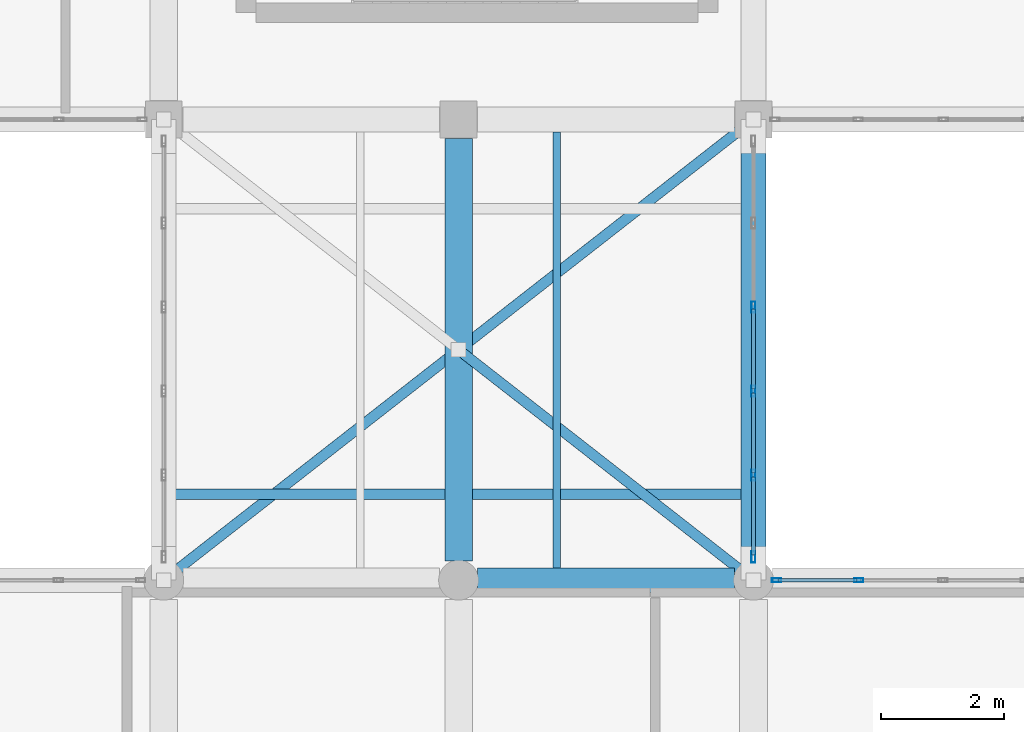
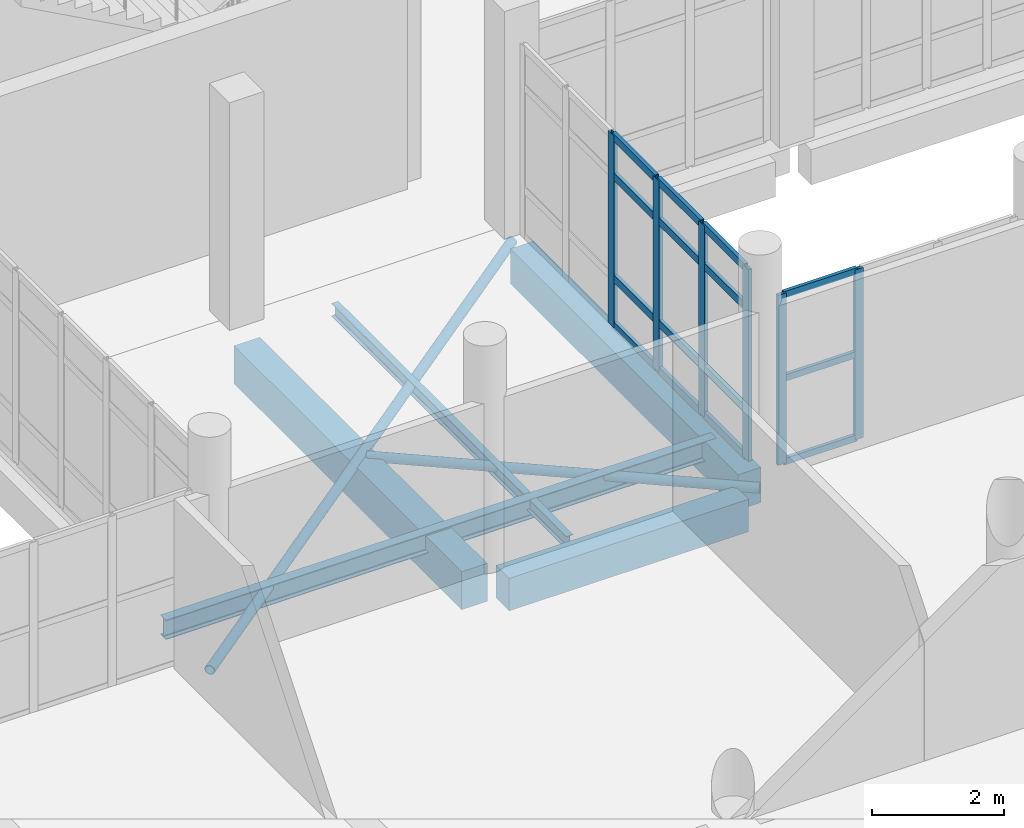
# One storey, part 86 of 164: 23 members, 5 beams, 2 elements without a shape of their own.
"""IFC4 building model written with IfcOpenShell, lengths in metres."""

from ifc_helpers import new_model, si_unit, direction, frame, origin, origin_2d, place, context, subcontext, project, spatial, rectangle, hollow_rectangle, hollow_circle, i_section, extrude, material, layer, layer_set, material_profile, profile_set, type_object, element, aggregate, save


model = new_model("IFC4")

# Units and contexts
model_context = context("Model", 3, precision=1e-05, world=origin(), true_north=direction((0.0, 1.0)))
body_context = subcontext(model_context, "Body", "Model", "MODEL_VIEW")
ifc_project = project(units=[si_unit("LENGTHUNIT", "METRE"), si_unit("AREAUNIT", "SQUARE_METRE"), si_unit("VOLUMEUNIT", "CUBIC_METRE"), si_unit("PLANEANGLEUNIT", "RADIAN"), si_unit("MASSUNIT", "GRAM", prefix="KILO")], contexts=[model_context])

# Site, building, storey
site_placement = place(None, origin())
site = spatial("IfcSite", under=ifc_project, at=site_placement, CompositionType="ELEMENT")
building_placement = place(site_placement, origin())
building = spatial("IfcBuilding", under=site, at=building_placement, Name="Mawjan Specialist Oncology Clinic", CompositionType="ELEMENT")
storey_placement = place(building_placement, frame((0.0, 0.0, 5.0)))
storey = spatial("IfcBuildingStorey", under=building, at=storey_placement, Name="L01", CompositionType="ELEMENT", Elevation=5.0)

# Beams
ifc_material_1 = material(Name="Concrete C40/50", Category="concrete")
ifc_material_profile_1 = material_profile(ifc_material_1, rectangle(XDim=0.39990234375, YDim=0.60009765625, at=origin_2d()), Name="RC BM 400x600", Category="concrete")
ifc_profile_set_1 = profile_set([ifc_material_profile_1], Name="Concrete C40/50")
beam_type_1 = type_object("IfcBeamType", Name="BM-400x600", PredefinedType="BEAM", material=ifc_profile_set_1)
beam_1_placement = place(storey_placement, frame((89.110107421875, 75.800048828125, -0.60009765625), z_axis=(1.0, 0.0, 0.0), x_axis=(0.0, 1.0, 0.0)))
element("IfcBeam", 1, at=beam_1_placement, inside=storey, type_object=beam_type_1, Name="L01 Collector Beam BM-L01-0331", PredefinedType="BEAM", context=body_context, shape_type="SweptSolid", body=[
    extrude(rectangle(XDim=0.39990234375, YDim=0.60009765625, at=origin_2d()), origin(), (0.0, 0.0, 1.0), 4.179931640625),
])
ifc_material_2 = material(Name="Concrete C40/50", Category="concrete")
ifc_material_profile_2 = material_profile(ifc_material_2, rectangle(XDim=0.449951171875, YDim=0.699951171875, at=origin_2d()), Name="RC BM 450x700", Category="concrete")
ifc_profile_set_2 = profile_set([ifc_material_profile_2], Name="Concrete C40/50")
beam_type_2 = type_object("IfcBeamType", Name="BM-450x700", PredefinedType="BEAM", material=ifc_profile_set_2)
beam_2_placement = place(storey_placement, frame((88.800048828125, 76.110107421875, -0.64990234375), z_axis=(0.0, 1.0, 0.0), x_axis=(-1.0, 0.0, 0.0)))
element("IfcBeam", 2, at=beam_2_placement, inside=storey, type_object=beam_type_2, Name="L01 Collector Beam BM-L01-0530", PredefinedType="BEAM", context=body_context, shape_type="SweptSolid", body=[
    extrude(rectangle(XDim=0.449951171875, YDim=0.699951171875, at=origin_2d()), origin(), (0.0, 0.0, 1.0), 6.8798828125),
])

# Members
ifc_material_3 = material(Name="Structural steel S355", Category="steel")
ifc_material_profile_3 = material_profile(ifc_material_3, hollow_circle(Radius=0.084228515625, WallThickness=0.008056640625, at=origin_2d()), Name="CHS 168.3x8", Category="steel")
ifc_profile_set_3 = profile_set([ifc_material_profile_3], Name="Structural steel S355")
member_type_1 = type_object("IfcMemberType", Name="BR-168", PredefinedType="BRACE", material=ifc_profile_set_3)
member_1_placement = place(storey_placement, frame((84.0, 75.800048828125, -0.320068359375), z_axis=(0.788027411976, 0.615640152991, 0.0), x_axis=(-0.615640152991, 0.788027411976, 0.0)))
element("IfcMember", 3, at=member_1_placement, inside=storey, type_object=member_type_1, Name="Skybridge Lateral Diagonal Brace L01-1", PredefinedType="BRACE", context=body_context, shape_type="SweptSolid", body=[
    extrude(hollow_circle(Radius=0.084228515625, WallThickness=0.008056640625, at=origin_2d()), origin(), (0.0, 0.0, 1.0), 12.182373046875),
])
member_2_placement = place(storey_placement, frame((93.60009765625, 75.800048828125, -0.320068359375), z_axis=(-0.788036091947, 0.615629042354, 0.0), x_axis=(-0.615629042354, -0.788036091947, 0.0)))
element("IfcMember", 4, at=member_2_placement, inside=storey, type_object=member_type_1, Name="Skybridge Lateral Diagonal Brace L01-2A", PredefinedType="BRACE", context=body_context, shape_type="SweptSolid", body=[
    extrude(hollow_circle(Radius=0.084228515625, WallThickness=0.008056640625, at=origin_2d()), origin(), (0.0, 0.0, 1.0), 6.001220703125),
])

# Curtain wall, members
ifc_material_4 = material(Name="Unitised spectrally selective aluminium curtain wall", Category="aluminium")
ifc_layer_1 = layer(ifc_material_4, 0.179931640625, Name="Unitised spectrally selective aluminium curtain wall", Category="aluminium")
ifc_layer_set_1 = layer_set([ifc_layer_1], Name="Unitised spectrally selective aluminium curtain wall")
curtain_wall_type_1 = type_object("IfcCurtainWallType", Name="CW-56", PredefinedType="NOTDEFINED", material=ifc_layer_set_1)
curtain_wall_1_placement = place(storey_placement, origin())
curtain_wall_1 = element("IfcCurtainWall", 5, at=curtain_wall_1_placement, inside=storey, type_object=curtain_wall_type_1, Name="L01 Unitised Curtain Wall CW-L01-129", PredefinedType="NOTDEFINED")
ifc_material_5 = material(Name="Thermally broken aluminium 6063-T6", Category="aluminium")
ifc_material_profile_4 = material_profile(ifc_material_5, hollow_rectangle(XDim=0.06005859375, YDim=0.14990234375, WallThickness=0.00390625, at=origin_2d()), Name="ALU MULLION 150x60x4", Category="aluminium")
ifc_profile_set_4 = profile_set([ifc_material_profile_4], Name="Thermally broken aluminium 6063-T6")
member_type_2 = type_object("IfcMemberType", Name="CW-M150", PredefinedType="MULLION", material=ifc_profile_set_4)
member_3_placement = place(storey_placement, frame((93.97509765625, 75.800048828125, 0.0), z_axis=(0.0, 0.0, 1.0), x_axis=(0.0, 1.0, 0.0)))
member_3 = element("IfcMember", 6, at=member_3_placement, type_object=member_type_2, Name="CW-56 mullion 1", PredefinedType="MULLION", context=body_context, shape_type="SweptSolid", body=[
    extrude(hollow_rectangle(XDim=0.06005859375, YDim=0.14990234375, WallThickness=0.00390625, at=origin_2d()), origin(), (0.0, 0.0, 1.0), 3.139892578125),
])
member_4_placement = place(storey_placement, frame((95.31494140625, 75.800048828125, 0.0), z_axis=(0.0, 0.0, 1.0), x_axis=(0.0, 1.0, 0.0)))
member_4 = element("IfcMember", 7, at=member_4_placement, type_object=member_type_2, Name="CW-56 mullion 2", PredefinedType="MULLION", context=body_context, shape_type="SweptSolid", body=[
    extrude(hollow_rectangle(XDim=0.06005859375, YDim=0.14990234375, WallThickness=0.00390625, at=origin_2d()), origin(), (0.0, 0.0, 1.0), 3.139892578125),
])

ifc_material_6 = material(Name="Unitised spectrally selective aluminium curtain wall", Category="aluminium")
ifc_layer_2 = layer(ifc_material_6, 0.179931640625, Name="Unitised spectrally selective aluminium curtain wall", Category="aluminium")
ifc_layer_set_2 = layer_set([ifc_layer_2], Name="Unitised spectrally selective aluminium curtain wall")
curtain_wall_type_2 = type_object("IfcCurtainWallType", Name="CW-57", PredefinedType="NOTDEFINED", material=ifc_layer_set_2)
curtain_wall_2_placement = place(storey_placement, origin())
curtain_wall_2 = element("IfcCurtainWall", 8, at=curtain_wall_2_placement, inside=storey, type_object=curtain_wall_type_2, Name="L01 Unitised Curtain Wall CW-L01-128", PredefinedType="NOTDEFINED")
ifc_material_7 = material(Name="Thermally broken aluminium 6063-T6", Category="aluminium")
ifc_material_profile_5 = material_profile(ifc_material_7, hollow_rectangle(XDim=0.06494140625, YDim=0.179931640625, WallThickness=0.00390625, at=origin_2d()), Name="ALU MULLION 180x65x4", Category="aluminium")
ifc_profile_set_5 = profile_set([ifc_material_profile_5], Name="Thermally broken aluminium 6063-T6")
member_type_3 = type_object("IfcMemberType", Name="CW-M180", PredefinedType="MULLION", material=ifc_profile_set_5)
member_5_placement = place(storey_placement, frame((93.60009765625, 80.24609375, 0.0), z_axis=(0.0, 0.0, 1.0), x_axis=(1.0, 0.0, 0.0)))
member_5 = element("IfcMember", 9, at=member_5_placement, type_object=member_type_3, Name="CW-57 mullion 3", PredefinedType="MULLION", context=body_context, shape_type="SweptSolid", body=[
    extrude(hollow_rectangle(XDim=0.06494140625, YDim=0.179931640625, WallThickness=0.00390625, at=origin_2d()), origin(), (0.0, 0.0, 1.0), 3.534912109375),
])
member_6_placement = place(storey_placement, frame((93.60009765625, 78.87890625, 0.0), z_axis=(0.0, 0.0, 1.0), x_axis=(1.0, 0.0, 0.0)))
member_6 = element("IfcMember", 10, at=member_6_placement, type_object=member_type_3, Name="CW-57 mullion 4", PredefinedType="MULLION", context=body_context, shape_type="SweptSolid", body=[
    extrude(hollow_rectangle(XDim=0.06494140625, YDim=0.179931640625, WallThickness=0.00390625, at=origin_2d()), origin(), (0.0, 0.0, 1.0), 3.534912109375),
])
member_7_placement = place(storey_placement, frame((93.60009765625, 77.511962890625, 0.0), z_axis=(0.0, 0.0, 1.0), x_axis=(1.0, 0.0, 0.0)))
member_7 = element("IfcMember", 11, at=member_7_placement, type_object=member_type_3, Name="CW-57 mullion 5", PredefinedType="MULLION", context=body_context, shape_type="SweptSolid", body=[
    extrude(hollow_rectangle(XDim=0.06494140625, YDim=0.179931640625, WallThickness=0.00390625, at=origin_2d()), origin(), (0.0, 0.0, 1.0), 3.534912109375),
])
member_8_placement = place(storey_placement, frame((93.60009765625, 76.177490234375, 0.0), z_axis=(0.0, 0.0, 1.0), x_axis=(1.0, 0.0, 0.0)))
member_8 = element("IfcMember", 12, at=member_8_placement, type_object=member_type_3, Name="CW-57 mullion 6", PredefinedType="MULLION", context=body_context, shape_type="SweptSolid", body=[
    extrude(hollow_rectangle(XDim=0.06494140625, YDim=0.179931640625, WallThickness=0.00390625, at=origin_2d()), origin(), (0.0, 0.0, 1.0), 3.534912109375),
])

# Member
ifc_material_8 = material(Name="Thermally broken aluminium 6063-T6", Category="aluminium")
ifc_material_profile_6 = material_profile(ifc_material_8, hollow_rectangle(XDim=0.06005859375, YDim=0.1201171875, WallThickness=0.00390625, at=origin_2d()), Name="ALU TRANSOM 120x60x4", Category="aluminium")
ifc_profile_set_6 = profile_set([ifc_material_profile_6], Name="Thermally broken aluminium 6063-T6")
member_type_4 = type_object("IfcMemberType", Name="CW-T120", PredefinedType="USERDEFINED", material=ifc_profile_set_6)
member_9_placement = place(storey_placement, frame((94.0048828125, 75.800048828125, 0.030029296875), z_axis=(1.0, 0.0, 0.0), x_axis=(0.0, 1.0, 0.0)))
member_9 = element("IfcMember", 13, at=member_9_placement, type_object=member_type_4, Name="CW-56 transom 1.1", ObjectType="TRANSOM", PredefinedType="USERDEFINED", context=body_context, shape_type="SweptSolid", body=[
    extrude(hollow_rectangle(XDim=0.06005859375, YDim=0.1201171875, WallThickness=0.00390625, at=origin_2d()), origin(), (0.0, 0.0, 1.0), 1.280029296875),
])

member_10_placement = place(storey_placement, frame((94.0048828125, 75.800048828125, 1.570068359375), z_axis=(1.0, 0.0, 0.0), x_axis=(0.0, 1.0, 0.0)))
member_10 = element("IfcMember", 14, at=member_10_placement, type_object=member_type_4, Name="CW-56 transom 1.2", ObjectType="TRANSOM", PredefinedType="USERDEFINED", context=body_context, shape_type="SweptSolid", body=[
    extrude(hollow_rectangle(XDim=0.06005859375, YDim=0.1201171875, WallThickness=0.00390625, at=origin_2d()), origin(), (0.0, 0.0, 1.0), 1.280029296875),
])

member_11_placement = place(storey_placement, frame((94.0048828125, 75.800048828125, 3.110107421875), z_axis=(1.0, 0.0, 0.0), x_axis=(0.0, 1.0, 0.0)))
member_11 = element("IfcMember", 15, at=member_11_placement, type_object=member_type_4, Name="CW-56 transom 1.3", ObjectType="TRANSOM", PredefinedType="USERDEFINED", context=body_context, shape_type="SweptSolid", body=[
    extrude(hollow_rectangle(XDim=0.06005859375, YDim=0.1201171875, WallThickness=0.00390625, at=origin_2d()), origin(), (0.0, 0.0, 1.0), 1.280029296875),
])

aggregate(curtain_wall_1, [member_3, member_4, member_9, member_10, member_11])

ifc_material_9 = material(Name="Thermally broken aluminium 6063-T6", Category="aluminium")
ifc_material_profile_7 = material_profile(ifc_material_9, hollow_rectangle(XDim=0.06494140625, YDim=0.139892578125, WallThickness=0.00390625, at=origin_2d()), Name="ALU TRANSOM 140x65x4", Category="aluminium")
ifc_profile_set_7 = profile_set([ifc_material_profile_7], Name="Thermally broken aluminium 6063-T6")
member_type_5 = type_object("IfcMemberType", Name="CW-T140", PredefinedType="USERDEFINED", material=ifc_profile_set_7)
member_12_placement = place(storey_placement, frame((93.60009765625, 80.21337890625, 0.032470703125), z_axis=(0.0, -1.0, 0.0), x_axis=(1.0, 0.0, 0.0)))
member_12 = element("IfcMember", 16, at=member_12_placement, type_object=member_type_5, Name="CW-57 transom 3.1", ObjectType="TRANSOM", PredefinedType="USERDEFINED", context=body_context, shape_type="SweptSolid", body=[
    extrude(hollow_rectangle(XDim=0.06494140625, YDim=0.139892578125, WallThickness=0.00390625, at=origin_2d()), origin(), (0.0, 0.0, 1.0), 1.3017578125),
])

member_13_placement = place(storey_placement, frame((93.60009765625, 80.21337890625, 0.89990234375), z_axis=(0.0, -1.0, 0.0), x_axis=(1.0, 0.0, 0.0)))
member_13 = element("IfcMember", 17, at=member_13_placement, type_object=member_type_5, Name="CW-57 transom 3.2", ObjectType="TRANSOM", PredefinedType="USERDEFINED", context=body_context, shape_type="SweptSolid", body=[
    extrude(hollow_rectangle(XDim=0.06494140625, YDim=0.139892578125, WallThickness=0.00390625, at=origin_2d()), origin(), (0.0, 0.0, 1.0), 1.3017578125),
])

member_14_placement = place(storey_placement, frame((93.60009765625, 80.21337890625, 2.784912109375), z_axis=(0.0, -1.0, 0.0), x_axis=(1.0, 0.0, 0.0)))
member_14 = element("IfcMember", 18, at=member_14_placement, type_object=member_type_5, Name="CW-57 transom 3.3", ObjectType="TRANSOM", PredefinedType="USERDEFINED", context=body_context, shape_type="SweptSolid", body=[
    extrude(hollow_rectangle(XDim=0.06494140625, YDim=0.139892578125, WallThickness=0.00390625, at=origin_2d()), origin(), (0.0, 0.0, 1.0), 1.3017578125),
])

member_15_placement = place(storey_placement, frame((93.60009765625, 80.21337890625, 3.50244140625), z_axis=(0.0, -1.0, 0.0), x_axis=(1.0, 0.0, 0.0)))
member_15 = element("IfcMember", 19, at=member_15_placement, type_object=member_type_5, Name="CW-57 transom 3.4", ObjectType="TRANSOM", PredefinedType="USERDEFINED", context=body_context, shape_type="SweptSolid", body=[
    extrude(hollow_rectangle(XDim=0.06494140625, YDim=0.139892578125, WallThickness=0.00390625, at=origin_2d()), origin(), (0.0, 0.0, 1.0), 1.3017578125),
])

member_16_placement = place(storey_placement, frame((93.60009765625, 78.846435546875, 0.032470703125), z_axis=(0.0, -1.0, 0.0), x_axis=(1.0, 0.0, 0.0)))
member_16 = element("IfcMember", 20, at=member_16_placement, type_object=member_type_5, Name="CW-57 transom 4.1", ObjectType="TRANSOM", PredefinedType="USERDEFINED", context=body_context, shape_type="SweptSolid", body=[
    extrude(hollow_rectangle(XDim=0.06494140625, YDim=0.139892578125, WallThickness=0.00390625, at=origin_2d()), origin(), (0.0, 0.0, 1.0), 1.302001953125),
])

member_17_placement = place(storey_placement, frame((93.60009765625, 78.846435546875, 0.89990234375), z_axis=(0.0, -1.0, 0.0), x_axis=(1.0, 0.0, 0.0)))
member_17 = element("IfcMember", 21, at=member_17_placement, type_object=member_type_5, Name="CW-57 transom 4.2", ObjectType="TRANSOM", PredefinedType="USERDEFINED", context=body_context, shape_type="SweptSolid", body=[
    extrude(hollow_rectangle(XDim=0.06494140625, YDim=0.139892578125, WallThickness=0.00390625, at=origin_2d()), origin(), (0.0, 0.0, 1.0), 1.302001953125),
])

member_18_placement = place(storey_placement, frame((93.60009765625, 78.846435546875, 2.784912109375), z_axis=(0.0, -1.0, 0.0), x_axis=(1.0, 0.0, 0.0)))
member_18 = element("IfcMember", 22, at=member_18_placement, type_object=member_type_5, Name="CW-57 transom 4.3", ObjectType="TRANSOM", PredefinedType="USERDEFINED", context=body_context, shape_type="SweptSolid", body=[
    extrude(hollow_rectangle(XDim=0.06494140625, YDim=0.139892578125, WallThickness=0.00390625, at=origin_2d()), origin(), (0.0, 0.0, 1.0), 1.302001953125),
])

member_19_placement = place(storey_placement, frame((93.60009765625, 78.846435546875, 3.50244140625), z_axis=(0.0, -1.0, 0.0), x_axis=(1.0, 0.0, 0.0)))
member_19 = element("IfcMember", 23, at=member_19_placement, type_object=member_type_5, Name="CW-57 transom 4.4", ObjectType="TRANSOM", PredefinedType="USERDEFINED", context=body_context, shape_type="SweptSolid", body=[
    extrude(hollow_rectangle(XDim=0.06494140625, YDim=0.139892578125, WallThickness=0.00390625, at=origin_2d()), origin(), (0.0, 0.0, 1.0), 1.302001953125),
])

member_20_placement = place(storey_placement, frame((93.60009765625, 77.4794921875, 0.032470703125), z_axis=(0.0, -1.0, 0.0), x_axis=(1.0, 0.0, 0.0)))
member_20 = element("IfcMember", 24, at=member_20_placement, type_object=member_type_5, Name="CW-57 transom 5.1", ObjectType="TRANSOM", PredefinedType="USERDEFINED", context=body_context, shape_type="SweptSolid", body=[
    extrude(hollow_rectangle(XDim=0.06494140625, YDim=0.139892578125, WallThickness=0.00390625, at=origin_2d()), origin(), (0.0, 0.0, 1.0), 1.26953125),
])

member_21_placement = place(storey_placement, frame((93.60009765625, 77.4794921875, 0.89990234375), z_axis=(0.0, -1.0, 0.0), x_axis=(1.0, 0.0, 0.0)))
member_21 = element("IfcMember", 25, at=member_21_placement, type_object=member_type_5, Name="CW-57 transom 5.2", ObjectType="TRANSOM", PredefinedType="USERDEFINED", context=body_context, shape_type="SweptSolid", body=[
    extrude(hollow_rectangle(XDim=0.06494140625, YDim=0.139892578125, WallThickness=0.00390625, at=origin_2d()), origin(), (0.0, 0.0, 1.0), 1.26953125),
])

member_22_placement = place(storey_placement, frame((93.60009765625, 77.4794921875, 2.784912109375), z_axis=(0.0, -1.0, 0.0), x_axis=(1.0, 0.0, 0.0)))
member_22 = element("IfcMember", 26, at=member_22_placement, type_object=member_type_5, Name="CW-57 transom 5.3", ObjectType="TRANSOM", PredefinedType="USERDEFINED", context=body_context, shape_type="SweptSolid", body=[
    extrude(hollow_rectangle(XDim=0.06494140625, YDim=0.139892578125, WallThickness=0.00390625, at=origin_2d()), origin(), (0.0, 0.0, 1.0), 1.26953125),
])

member_23_placement = place(storey_placement, frame((93.60009765625, 77.4794921875, 3.50244140625), z_axis=(0.0, -1.0, 0.0), x_axis=(1.0, 0.0, 0.0)))
member_23 = element("IfcMember", 27, at=member_23_placement, type_object=member_type_5, Name="CW-57 transom 5.4", ObjectType="TRANSOM", PredefinedType="USERDEFINED", context=body_context, shape_type="SweptSolid", body=[
    extrude(hollow_rectangle(XDim=0.06494140625, YDim=0.139892578125, WallThickness=0.00390625, at=origin_2d()), origin(), (0.0, 0.0, 1.0), 1.26953125),
])

aggregate(curtain_wall_2, [member_5, member_6, member_7, member_8, member_12, member_13, member_14, member_15, member_16, member_17, member_18, member_19, member_20, member_21, member_22, member_23])

# Beams
ifc_material_10 = material(Name="Structural steel S355", Category="steel")
ifc_material_profile_8 = material_profile(ifc_material_10, i_section(OverallWidth=0.1201171875, OverallDepth=0.239990234375, WebThickness=0.006103515625, FlangeThickness=0.009765625, FilletRadius=0.014892578125, at=origin_2d()), Name="IPE 240", Category="steel")
ifc_profile_set_8 = profile_set([ifc_material_profile_8], Name="Structural steel S355")
beam_type_3 = type_object("IfcBeamType", Name="JST-IPE240", PredefinedType="JOIST", material=ifc_profile_set_8)
beam_3_placement = place(storey_placement, frame((90.39990234375, 76.0, -0.320068359375), z_axis=(0.0, 1.0, 0.0), x_axis=(-1.0, 0.0, 0.0)))
element("IfcBeam", 28, at=beam_3_placement, inside=storey, type_object=beam_type_3, Name="L01 Secondary Floor Joist 2", PredefinedType="JOIST", context=body_context, shape_type="SweptSolid", body=[
    extrude(i_section(OverallWidth=0.1201171875, OverallDepth=0.239990234375, WebThickness=0.006103515625, FlangeThickness=0.009765625, FilletRadius=0.014892578125, at=origin_2d()), origin(), (0.0, 0.0, 1.0), 7.10009765625),
])
ifc_material_11 = material(Name="Structural steel S355", Category="steel")
ifc_material_profile_9 = material_profile(ifc_material_11, i_section(OverallWidth=0.169921875, OverallDepth=0.360107421875, WebThickness=0.008056640625, FlangeThickness=0.0126953125, FilletRadius=0.01806640625, at=origin_2d()), Name="IPE 360", Category="steel")
ifc_profile_set_9 = profile_set([ifc_material_profile_9], Name="Structural steel S355")
beam_type_4 = type_object("IfcBeamType", Name="SB-IPE360", PredefinedType="BEAM", material=ifc_profile_set_9)
beam_4_placement = place(storey_placement, frame((84.0, 77.199951171875, -0.3798828125), z_axis=(1.0, 0.0, 0.0), x_axis=(0.0, 1.0, 0.0)))
element("IfcBeam", 29, at=beam_4_placement, inside=storey, type_object=beam_type_4, Name="Skybridge L01 Transverse Girder S", PredefinedType="BEAM", context=body_context, shape_type="SweptSolid", body=[
    extrude(i_section(OverallWidth=0.169921875, OverallDepth=0.360107421875, WebThickness=0.008056640625, FlangeThickness=0.0126953125, FilletRadius=0.01806640625, at=origin_2d()), origin(), (0.0, 0.0, 1.0), 9.60009765625),
])
ifc_material_12 = material(Name="Concrete C45/55", Category="concrete")
ifc_material_profile_10 = material_profile(ifc_material_12, rectangle(XDim=0.39990234375, YDim=0.64990234375, at=origin_2d()), Name="RC BM 400x650", Category="concrete")
ifc_profile_set_10 = profile_set([ifc_material_profile_10], Name="Concrete C45/55")
beam_type_5 = type_object("IfcBeamType", Name="SP-400x650", PredefinedType="SPANDREL", material=ifc_profile_set_10)
beam_5_placement = place(storey_placement, frame((93.60009765625, 76.110107421875, -0.52490234375), z_axis=(0.0, 1.0, 0.0), x_axis=(-1.0, 0.0, 0.0)))
element("IfcBeam", 30, at=beam_5_placement, inside=storey, type_object=beam_type_5, Name="L01 Spandrel Beam BM-L01-0538", PredefinedType="SPANDREL", context=body_context, shape_type="SweptSolid", body=[
    extrude(rectangle(XDim=0.39990234375, YDim=0.64990234375, at=origin_2d()), origin(), (0.0, 0.0, 1.0), 6.8798828125),
])

save(model, "model.ifc")
